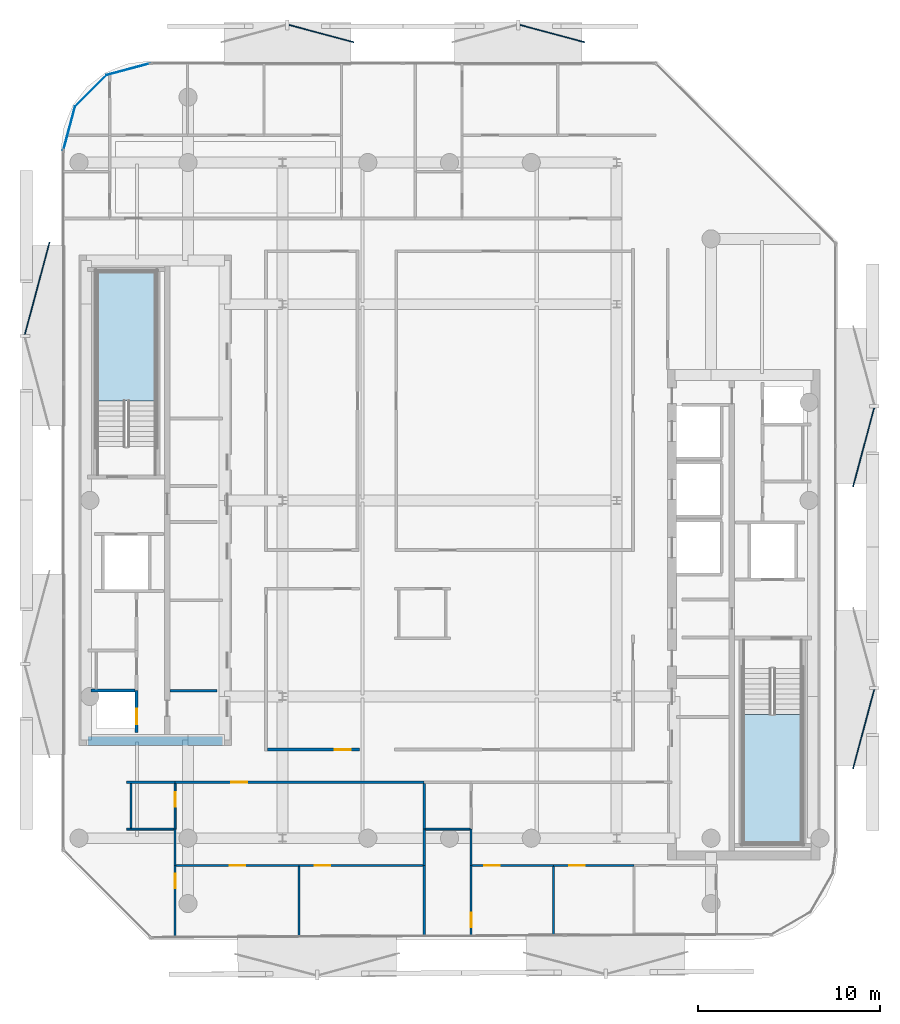
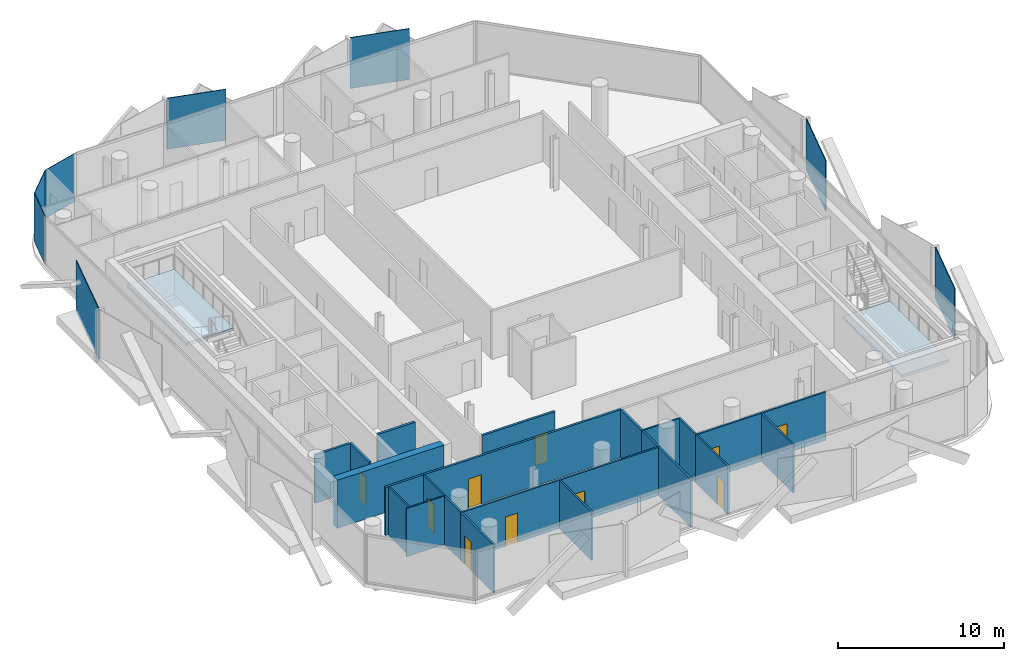
# One storey, part 4 of 16: 24 walls, 10 doors, 8 plates, 2 slabs, 10 openings, 2 elements without a shape of their own.
"""IFC4 building model written with IfcOpenShell, lengths in metres."""

from ifc_helpers import new_model, si_unit, direction, frame, frame_2d, origin, origin_2d, place, context, subcontext, project, spatial, polyline, rectangle, outline, extrude, material, layer, layer_set, type_object, element, fill, aggregate, save


model = new_model("IFC4")

# Units and contexts
model_context = context("Model", 3, precision=1e-05, world=origin(), true_north=direction((0.0, 1.0)))
body_context = subcontext(model_context, "Body", "Model", "MODEL_VIEW")
ifc_project = project(units=[si_unit("LENGTHUNIT", "METRE"), si_unit("AREAUNIT", "SQUARE_METRE"), si_unit("VOLUMEUNIT", "CUBIC_METRE"), si_unit("PLANEANGLEUNIT", "RADIAN"), si_unit("MASSUNIT", "GRAM", prefix="KILO")], contexts=[model_context])

# Site, building, storey
site_placement = place(None, origin())
site = spatial("IfcSite", under=ifc_project, at=site_placement, CompositionType="ELEMENT")
building_placement = place(site_placement, origin())
building = spatial("IfcBuilding", under=site, at=building_placement, Name="Khairoan Windgate Tower", CompositionType="ELEMENT")
storey_placement = place(building_placement, frame((0.0, 0.0, 277.60009765625)))
storey = spatial("IfcBuildingStorey", under=building, at=storey_placement, Name="L66", CompositionType="ELEMENT", Elevation=277.60009765625)

# Plates
ifc_material_1 = material(Name="Low-E Solar Control Laminated Glass", Category="glass")
ifc_layer_1 = layer(ifc_material_1, 0.030029296875, Name="Low-E Solar Control Laminated Glass")
ifc_layer_set_1 = layer_set([ifc_layer_1], Name="Low-E Solar Control Laminated Glass")
plate_type_1 = type_object("IfcPlateType", Name="Aerodynamic Wind-Corner Curved Glazing Plate", PredefinedType="USERDEFINED", material=ifc_layer_set_1)
plate_1_placement = place(storey_placement, frame((-20.940673828125, 20.485107421875, 0.0), z_axis=(0.0, 0.0, 1.0), x_axis=(0.258313252067, 0.966061211211, 0.0)))
element("IfcPlate", 1, at=plate_1_placement, inside=storey, type_object=plate_type_1, Name="L66 Aerodynamic Wind-Corner Curved Glazing Panel 4", ObjectType="GLAZING PANEL", PredefinedType="USERDEFINED", context=body_context, shape_type="SweptSolid", body=[
    extrude(rectangle(XDim=2.512451171875, YDim=0.035888671875, at=origin_2d()), origin(), (0.0, 0.0, 1.0), 3.5400390625),
])
plate_2_placement = place(storey_placement, frame((-19.750244140625, 22.55029296875, 0.0), z_axis=(0.0, 0.0, 1.0), x_axis=(0.707106781187, 0.707106781187, 0.0)))
element("IfcPlate", 2, at=plate_2_placement, inside=storey, type_object=plate_type_1, Name="L66 Aerodynamic Wind-Corner Curved Glazing Panel 5", ObjectType="GLAZING PANEL", PredefinedType="USERDEFINED", context=body_context, shape_type="SweptSolid", body=[
    extrude(rectangle(XDim=2.50341796875, YDim=0.035888671875, at=origin_2d()), origin(), (0.0, 0.0, 1.0), 3.5400390625),
])
plate_3_placement = place(storey_placement, frame((-17.68505859375, 23.740478515625, 0.0), z_axis=(0.0, 0.0, 1.0), x_axis=(0.966061211211, 0.258313252067, 0.0)))
element("IfcPlate", 3, at=plate_3_placement, inside=storey, type_object=plate_type_1, Name="L66 Aerodynamic Wind-Corner Curved Glazing Panel 6", ObjectType="GLAZING PANEL", PredefinedType="USERDEFINED", context=body_context, shape_type="SweptSolid", body=[
    extrude(rectangle(XDim=2.512451171875, YDim=0.035888671875, at=origin_2d()), origin(), (0.0, 0.0, 1.0), 3.5400390625),
])
ifc_material_2 = material(Name="Anodised Bronze Aluminium 6063-T6", Category="aluminium")
ifc_layer_2 = layer(ifc_material_2, 0.054931640625, Name="Anodised Bronze Aluminium 6063-T6")
ifc_layer_set_2 = layer_set([ifc_layer_2], Name="Anodised Bronze Aluminium 6063-T6")
plate_type_2 = type_object("IfcPlateType", Name="Perforated Bronze Solar Screen Upper Panel BSP-2", PredefinedType="USERDEFINED", material=ifc_layer_set_2)
plate_4_placement = place(storey_placement, frame((-22.701904296875, 11.677734375, -0.10009765625), z_axis=(0.0, 0.0, 1.0), x_axis=(0.258819045103, 0.965925826289, 0.0)))
element("IfcPlate", 4, at=plate_4_placement, inside=storey, type_object=plate_type_2, Name="L66 Perforated Bronze Solar Screen Panel 457R", ObjectType="SCREEN", PredefinedType="USERDEFINED", context=body_context, shape_type="SweptSolid", body=[
    extrude(rectangle(XDim=5.239013671875, YDim=0.054931640625, at=origin_2d()), origin(), (0.0, 0.0, 1.0), 3.739990234375),
])
for number, where, z_axis, x_axis, name in (
    (5, (-7.061279296875, 25.70263671875, -0.10009765625), (0.0, 0.0, 1.0), (0.965925826289, -0.258819045103, 0.0), "L66 Perforated Bronze Solar Screen Panel 458R"),
    (6, (5.655029296875, 25.70263671875, -0.10009765625), (0.0, 0.0, 1.0), (0.965925826289, -0.258819045103, 0.0), "L66 Perforated Bronze Solar Screen Panel 459R"),
):
    element("IfcPlate", number, at=place(storey_placement, frame(where, z_axis=z_axis, x_axis=x_axis)), inside=storey, type_object=plate_type_2, Name=name, ObjectType="SCREEN", PredefinedType="USERDEFINED", context=body_context, shape_type="SweptSolid", body=[
        extrude(rectangle(XDim=3.68798828125, YDim=0.054931640625, at=origin_2d()), origin(), (0.0, 0.0, 1.0), 3.739990234375),
    ])
for number, where, z_axis, x_axis, name in (
    (7, (22.797607421875, 2.92041015625, -0.10009765625), (0.0, 0.0, 1.0), (-0.258819045103, -0.965925826289, 0.0), "L66 Perforated Bronze Solar Screen Panel 460R"),
    (8, (22.797607421875, -12.595947265625, -0.10009765625), (0.0, 0.0, 1.0), (-0.258819045103, -0.965925826289, 0.0), "L66 Perforated Bronze Solar Screen Panel 461R"),
):
    element("IfcPlate", number, at=place(storey_placement, frame(where, z_axis=z_axis, x_axis=x_axis)), inside=storey, type_object=plate_type_2, Name=name, ObjectType="SCREEN", PredefinedType="USERDEFINED", context=body_context, shape_type="SweptSolid", body=[
        extrude(rectangle(XDim=4.5, YDim=0.054931640625, at=origin_2d()), origin(), (0.0, 0.0, 1.0), 3.739990234375),
    ])

# Stair, slab
ifc_material_3 = material(Name="Concrete C40/50", Category="concrete")
stair_type = type_object("IfcStairType", Name="Tower Core Dog-Leg Stair ST-T1 1560mm", PredefinedType="HALF_TURN_STAIR", material=ifc_material_3)
stair_1_placement = place(storey_placement, origin())
stair_1 = element("IfcStair", 9, at=stair_1_placement, inside=storey, type_object=stair_type, Name="L66 Stair ST1", PredefinedType="HALF_TURN_STAIR")
ifc_material_4 = material(Name="Concrete C40/50", Category="concrete")
ifc_layer_3 = layer(ifc_material_4, 0.199951171875, Name="Concrete C40/50")
ifc_layer_set_3 = layer_set([ifc_layer_3], Name="Concrete C40/50")
slab_type = type_object("IfcSlabType", Name="Reinforced Concrete Stair Landing Slab STL-200", PredefinedType="LANDING", material=ifc_layer_set_3)
slab_1_placement = place(storey_placement, frame((0.0, 0.0, 1.699951171875)))
slab_1 = element("IfcSlab", 10, at=slab_1_placement, type_object=slab_type, Name="ST1 landing 1", PredefinedType="LANDING", context=body_context, shape_type="SweptSolid", body=[
    extrude(outline(polyline([(16.14990234375, -11.780029296875), (16.14990234375, -18.89990234375), (19.419921875, -18.89990234375), (19.419921875, -11.780029296875), (16.14990234375, -11.780029296875)])), origin(), (0.0, 0.0, 1.0), 0.199951171875),
])
aggregate(stair_1, [slab_1])

stair_2_placement = place(storey_placement, origin())
stair_2 = element("IfcStair", 11, at=stair_2_placement, inside=storey, type_object=stair_type, Name="L66 Stair ST2", PredefinedType="HALF_TURN_STAIR")
slab_2_placement = place(storey_placement, frame((0.0, 0.0, 1.699951171875)))
slab_2 = element("IfcSlab", 12, at=slab_2_placement, type_object=slab_type, Name="ST2 landing 1", PredefinedType="LANDING", context=body_context, shape_type="SweptSolid", body=[
    extrude(outline(polyline([(-16.14990234375, 5.47998046875), (-16.14990234375, 12.60009765625), (-19.419921875, 12.60009765625), (-19.419921875, 5.47998046875), (-16.14990234375, 5.47998046875)])), origin(), (0.0, 0.0, 1.0), 0.199951171875),
])
aggregate(stair_2, [slab_2])

# Wall
ifc_material_5 = material(Name="Moisture-Resistant Gypsum Partition", Category="gypsum")
ifc_layer_4 = layer(ifc_material_5, 0.10009765625, Name="Moisture-Resistant Gypsum Partition")
ifc_layer_set_4 = layer_set([ifc_layer_4], Name="Moisture-Resistant Gypsum Partition")
wall_type_1 = type_object("IfcWallType", Name="Bathroom Wet-Area Partition Wall", PredefinedType="PARTITIONING", material=ifc_layer_set_4)
wall_1_placement = place(storey_placement, frame((-17.780029296875, -18.10009765625, 0.0), z_axis=(0.0, 0.0, 1.0), x_axis=(1.0, 0.0, 0.0)))
element("IfcWall", 13, at=wall_1_placement, inside=storey, type_object=wall_type_1, Name="L66 Interior Partition 059", PredefinedType="PARTITIONING", context=body_context, shape_type="SweptSolid", body=[
    extrude(rectangle(XDim=2.6201171875, YDim=0.10009765625, at=frame_2d((1.31005859375, 0.0))), origin(), (0.0, 0.0, 1.0), 3.539794921875),
])

# Wall, opening, door
wall_2_placement = place(storey_placement, frame((-15.110107421875, -18.10009765625, 0.0), z_axis=(0.0, 0.0, 1.0), x_axis=(0.0, 1.0, 0.0)))
wall_2 = element("IfcWall", 14, at=wall_2_placement, inside=storey, type_object=wall_type_1, Name="L66 Interior Partition 060", PredefinedType="PARTITIONING", context=body_context, shape_type="SweptSolid", body=[
    extrude(rectangle(XDim=2.5, YDim=0.10009765625, at=frame_2d((1.25, 0.0))), origin(), (0.0, 0.0, 1.0), 3.539794921875),
])
opening_1_placement = place(wall_2_placement, frame((1.239990234375, 0.0, 0.0)))
opening_1 = element("IfcOpeningElement", 15, at=opening_1_placement, cuts=wall_2, Name="Opening ID-BTH", PredefinedType="OPENING", context=body_context, shape_type="SweptSolid", body=[
    extrude(rectangle(XDim=0.800048828125, YDim=2.10009765625, at=frame_2d((0.39990234375, 1.050048828125))), frame((0.0, 0.06005859375, 0.0), z_axis=(0.0, -1.0, 0.0), x_axis=(1.0, 0.0, 0.0)), (0.0, 0.0, 1.0), 0.1201171875),
])
ifc_material_6 = material(Name="Teak Veneer Timber Leaf", Category="wood")
door_type_1 = type_object("IfcDoorType", Name="Internal Bathroom Door ID-BTH 800x2100", OperationType="NOTDEFINED", PredefinedType="DOOR", material=ifc_material_6)
door_1_placement = place(opening_1_placement, origin())
door_1 = element("IfcDoor", 16, at=door_1_placement, inside=storey, type_object=door_type_1, Name="L66 L66-47-L66-49 Door", OperationType="SINGLE_SWING_LEFT", OverallHeight=2.10009765625, OverallWidth=0.800048828125, PredefinedType="DOOR", context=body_context, shape_type="SweptSolid", body=[
    extrude(rectangle(XDim=0.800048828125, YDim=2.10009765625, at=frame_2d((0.39990234375, 1.050048828125))), frame((0.0, 0.02490234375, 0.0), z_axis=(0.0, -1.0, 0.0), x_axis=(1.0, 0.0, 0.0)), (0.0, 0.0, 1.0), 0.050048828125),
])
fill(opening_1, door_1)

# Walls
wall_3_placement = place(storey_placement, frame((-1.330078125, -18.10009765625, 0.0), z_axis=(0.0, 0.0, 1.0), x_axis=(1.0, 0.0, 0.0)))
element("IfcWall", 17, at=wall_3_placement, inside=storey, type_object=wall_type_1, Name="L66 Interior Partition 069", PredefinedType="PARTITIONING", context=body_context, shape_type="SweptSolid", body=[
    extrude(rectangle(XDim=2.469970703125, YDim=0.10009765625, at=frame_2d((1.23486328125, 0.0))), origin(), (0.0, 0.0, 1.0), 3.539794921875),
])
wall_4_placement = place(storey_placement, frame((-17.5400390625, -18.050048828125, 0.0), z_axis=(0.0, 0.0, 1.0), x_axis=(0.0, 1.0, 0.0)))
element("IfcWall", 18, at=wall_4_placement, inside=storey, type_object=wall_type_1, Name="L66 Wet Room Side Wall 082", PredefinedType="PARTITIONING", context=body_context, shape_type="SweptSolid", body=[
    extrude(rectangle(XDim=2.449951171875, YDim=0.10009765625, at=frame_2d((1.22509765625, 0.0))), origin(), (0.0, 0.0, 1.0), 3.539794921875),
])
ifc_material_7 = material(Name="Concrete C40/50", Category="concrete")
ifc_layer_5 = layer(ifc_material_7, 0.159912109375, Name="Concrete C40/50")
ifc_layer_set_5 = layer_set([ifc_layer_5], Name="Concrete C40/50")
wall_type_2 = type_object("IfcWallType", Name="Core and Hoistway Enclosure Wall", PredefinedType="STANDARD", material=ifc_layer_set_5)
wall_5_placement = place(storey_placement, frame((-15.39990234375, -10.47998046875, 0.0), z_axis=(0.0, 0.0, 1.0), x_axis=(1.0, 0.0, 0.0)))
element("IfcWall", 19, at=wall_5_placement, inside=storey, type_object=wall_type_2, Name="L66 Core Shaft Wall SW-WSV-L66", PredefinedType="STANDARD", context=body_context, shape_type="SweptSolid", body=[
    extrude(rectangle(XDim=2.599853515625, YDim=0.159912109375, at=frame_2d((1.2998046875, 0.0))), origin(), (0.0, 0.0, 1.0), 3.539794921875),
])
ifc_material_8 = material(Name="Acoustic Fire-Rated Gypsum Partition", Category="gypsum")
ifc_layer_6 = layer(ifc_material_8, 0.139892578125, Name="Acoustic Fire-Rated Gypsum Partition")
ifc_layer_set_6 = layer_set([ifc_layer_6], Name="Acoustic Fire-Rated Gypsum Partition")
wall_type_3 = type_object("IfcWallType", Name="Inter-Tenancy Compartment Wall", PredefinedType="PARTITIONING", material=ifc_layer_set_6)
wall_6_placement = place(storey_placement, frame((-1.39990234375, -18.10009765625, 0.0), z_axis=(0.0, 0.0, 1.0), x_axis=(0.0, 1.0, 0.0)))
element("IfcWall", 20, at=wall_6_placement, inside=storey, type_object=wall_type_3, Name="L66 Interior Partition 065", PredefinedType="PARTITIONING", context=body_context, shape_type="SweptSolid", body=[
    extrude(rectangle(XDim=2.5, YDim=0.139892578125, at=frame_2d((1.25, 0.0))), origin(), (0.0, 0.0, 1.0), 3.539794921875),
])
wall_7_placement = place(storey_placement, frame((-1.39990234375, -20.10009765625, 0.0), z_axis=(0.0, 0.0, 1.0), x_axis=(0.0, 1.0, 0.0)))
element("IfcWall", 21, at=wall_7_placement, inside=storey, type_object=wall_type_3, Name="L66 Interior Partition 066", PredefinedType="PARTITIONING", context=body_context, shape_type="SweptSolid", body=[
    extrude(rectangle(XDim=2.0, YDim=0.139892578125, at=frame_2d((1.0, 0.0))), origin(), (0.0, 0.0, 1.0), 3.539794921875),
])
wall_8_placement = place(storey_placement, frame((-1.39990234375, -23.983154296875, 0.0), z_axis=(0.0, 0.0, 1.0), x_axis=(0.0, 1.0, 0.0)))
element("IfcWall", 22, at=wall_8_placement, inside=storey, type_object=wall_type_3, Name="L66 Interior Partition 068", PredefinedType="PARTITIONING", context=body_context, shape_type="SweptSolid", body=[
    extrude(rectangle(XDim=3.883056640625, YDim=0.139892578125, at=frame_2d((1.94140625, 0.0))), origin(), (0.0, 0.0, 1.0), 3.539794921875),
])
ifc_material_9 = material(Name="Gypsum Stud Partition", Category="gypsum")
ifc_layer_7 = layer(ifc_material_9, 0.1201171875, Name="Gypsum Stud Partition")
ifc_layer_set_7 = layer_set([ifc_layer_7], Name="Gypsum Stud Partition")
wall_type_4 = type_object("IfcWallType", Name="Internal Room Partition Wall", PredefinedType="PARTITIONING", material=ifc_layer_set_7)
wall_9_placement = place(storey_placement, frame((-15.110107421875, -20.10009765625, 0.0), z_axis=(0.0, 0.0, 1.0), x_axis=(0.0, 1.0, 0.0)))
element("IfcWall", 23, at=wall_9_placement, inside=storey, type_object=wall_type_4, Name="L66 Interior Partition 061", PredefinedType="PARTITIONING", context=body_context, shape_type="SweptSolid", body=[
    extrude(rectangle(XDim=2.0, YDim=0.1201171875, at=frame_2d((1.0, 0.0))), origin(), (0.0, 0.0, 1.0), 3.539794921875),
])

# Wall, opening, door
wall_10_placement = place(storey_placement, frame((-15.110107421875, -24.048583984375, 0.0), z_axis=(0.0, 0.0, 1.0), x_axis=(0.0, 1.0, 0.0)))
wall_10 = element("IfcWall", 24, at=wall_10_placement, inside=storey, type_object=wall_type_4, Name="L66 Interior Partition 062", PredefinedType="PARTITIONING", context=body_context, shape_type="SweptSolid", body=[
    extrude(rectangle(XDim=3.948486328125, YDim=0.1201171875, at=frame_2d((1.97412109375, 0.0))), origin(), (0.0, 0.0, 1.0), 3.539794921875),
])
opening_2_placement = place(wall_10_placement, frame((2.688720703125, 0.0, 0.0)))
opening_2 = element("IfcOpeningElement", 25, at=opening_2_placement, cuts=wall_10, Name="Opening ID-BTH", PredefinedType="OPENING", context=body_context, shape_type="SweptSolid", body=[
    extrude(rectangle(XDim=0.800048828125, YDim=2.10009765625, at=frame_2d((0.39990234375, 1.050048828125))), frame((0.0, 0.070068359375, 0.0), z_axis=(0.0, -1.0, 0.0), x_axis=(1.0, 0.0, 0.0)), (0.0, 0.0, 1.0), 0.14013671875),
])
door_2_placement = place(opening_2_placement, origin())
door_2 = element("IfcDoor", 26, at=door_2_placement, inside=storey, type_object=door_type_1, Name="L66 L66-48-L66-50 Door", OperationType="SINGLE_SWING_LEFT", OverallHeight=2.10009765625, OverallWidth=0.800048828125, PredefinedType="DOOR", context=body_context, shape_type="SweptSolid", body=[
    extrude(rectangle(XDim=0.800048828125, YDim=2.10009765625, at=frame_2d((0.39990234375, 1.050048828125))), frame((0.0, 0.02490234375, 0.0), z_axis=(0.0, -1.0, 0.0), x_axis=(1.0, 0.0, 0.0)), (0.0, 0.0, 1.0), 0.050048828125),
])
fill(opening_2, door_2)

wall_11_placement = place(storey_placement, frame((-15.050048828125, -20.10009765625, 0.0), z_axis=(0.0, 0.0, 1.0), x_axis=(1.0, 0.0, 0.0)))
wall_11 = element("IfcWall", 27, at=wall_11_placement, inside=storey, type_object=wall_type_4, Name="L66 Interior Partition 063", PredefinedType="PARTITIONING", context=body_context, shape_type="SweptSolid", body=[
    extrude(rectangle(XDim=6.755126953125, YDim=0.1201171875, at=frame_2d((3.37744140625, 0.0))), origin(), (0.0, 0.0, 1.0), 3.539794921875),
])
opening_3_placement = place(wall_11_placement, frame((2.947509765625, 0.0, 0.0)))
opening_3 = element("IfcOpeningElement", 28, at=opening_3_placement, cuts=wall_11, Name="Opening ID-RM", PredefinedType="OPENING", context=body_context, shape_type="SweptSolid", body=[
    extrude(rectangle(XDim=0.860107421875, YDim=2.14990234375, at=frame_2d((0.43017578125, 1.074951171875))), frame((0.0, 0.070068359375, 0.0), z_axis=(0.0, -1.0, 0.0), x_axis=(1.0, 0.0, 0.0)), (0.0, 0.0, 1.0), 0.14013671875),
])
ifc_material_10 = material(Name="Teak Veneer Timber Leaf", Category="wood")
door_type_2 = type_object("IfcDoorType", Name="Internal Bedroom and Office Door ID-RM 860x2150", OperationType="NOTDEFINED", PredefinedType="DOOR", material=ifc_material_10)
door_3_placement = place(opening_3_placement, origin())
door_3 = element("IfcDoor", 29, at=door_3_placement, inside=storey, type_object=door_type_2, Name="L66 L66-49-L66-50 Door", OperationType="SINGLE_SWING_LEFT", OverallHeight=2.14990234375, OverallWidth=0.860107421875, PredefinedType="DOOR", context=body_context, shape_type="SweptSolid", body=[
    extrude(rectangle(XDim=0.860107421875, YDim=2.14990234375, at=frame_2d((0.43017578125, 1.074951171875))), frame((0.0, 0.02490234375, 0.0), z_axis=(0.0, -1.0, 0.0), x_axis=(1.0, 0.0, 0.0)), (0.0, 0.0, 1.0), 0.050048828125),
])
fill(opening_3, door_3)

wall_12_placement = place(storey_placement, frame((-8.294921875, -20.10009765625, 0.0), z_axis=(0.0, 0.0, 1.0), x_axis=(1.0, 0.0, 0.0)))
wall_12 = element("IfcWall", 30, at=wall_12_placement, inside=storey, type_object=wall_type_4, Name="L66 Interior Partition 064", PredefinedType="PARTITIONING", context=body_context, shape_type="SweptSolid", body=[
    extrude(rectangle(XDim=6.824951171875, YDim=0.1201171875, at=frame_2d((3.41259765625, 0.0))), origin(), (0.0, 0.0, 1.0), 3.539794921875),
])
opening_4_placement = place(wall_12_placement, frame((0.863525390625, 0.0, 0.0)))
opening_4 = element("IfcOpeningElement", 31, at=opening_4_placement, cuts=wall_12, Name="Opening ID-RM", PredefinedType="OPENING", context=body_context, shape_type="SweptSolid", body=[
    extrude(rectangle(XDim=0.860107421875, YDim=2.14990234375, at=frame_2d((0.43017578125, 1.074951171875))), frame((0.0, 0.070068359375, 0.0), z_axis=(0.0, -1.0, 0.0), x_axis=(1.0, 0.0, 0.0)), (0.0, 0.0, 1.0), 0.14013671875),
])
door_4_placement = place(opening_4_placement, origin())
door_4 = element("IfcDoor", 32, at=door_4_placement, inside=storey, type_object=door_type_2, Name="L66 L66-49-L66-51 Door", OperationType="SINGLE_SWING_RIGHT", OverallHeight=2.14990234375, OverallWidth=0.860107421875, PredefinedType="DOOR", context=body_context, shape_type="SweptSolid", body=[
    extrude(rectangle(XDim=0.860107421875, YDim=2.14990234375, at=frame_2d((0.43017578125, 1.074951171875))), frame((0.0, 0.02490234375, 0.0), z_axis=(0.0, -1.0, 0.0), x_axis=(1.0, 0.0, 0.0)), (0.0, 0.0, 1.0), 0.050048828125),
])
fill(opening_4, door_4)

# Walls
wall_13_placement = place(storey_placement, frame((-8.294921875, -24.01611328125, 0.0), z_axis=(0.0, 0.0, 1.0), x_axis=(0.0, 1.0, 0.0)))
element("IfcWall", 33, at=wall_13_placement, inside=storey, type_object=wall_type_4, Name="L66 Interior Partition 067", PredefinedType="PARTITIONING", context=body_context, shape_type="SweptSolid", body=[
    extrude(rectangle(XDim=3.856201171875, YDim=0.1201171875, at=frame_2d((1.92822265625, 0.0))), origin(), (0.0, 0.0, 1.0), 3.539794921875),
])
wall_14_placement = place(storey_placement, frame((1.18994140625, -20.10009765625, 0.0), z_axis=(0.0, 0.0, 1.0), x_axis=(0.0, 1.0, 0.0)))
element("IfcWall", 34, at=wall_14_placement, inside=storey, type_object=wall_type_4, Name="L66 Interior Partition 071", PredefinedType="PARTITIONING", context=body_context, shape_type="SweptSolid", body=[
    extrude(rectangle(XDim=2.0, YDim=0.1201171875, at=frame_2d((1.0, 0.0))), origin(), (0.0, 0.0, 1.0), 3.539794921875),
])

# Wall, opening, door
wall_15_placement = place(storey_placement, frame((1.18994140625, -23.970703125, 0.0), z_axis=(0.0, 0.0, 1.0), x_axis=(0.0, 1.0, 0.0)))
wall_15 = element("IfcWall", 35, at=wall_15_placement, inside=storey, type_object=wall_type_4, Name="L66 Interior Partition 072", PredefinedType="PARTITIONING", context=body_context, shape_type="SweptSolid", body=[
    extrude(rectangle(XDim=3.87060546875, YDim=0.1201171875, at=frame_2d((1.935302734375, 0.0))), origin(), (0.0, 0.0, 1.0), 3.539794921875),
])
opening_5_placement = place(wall_15_placement, frame((0.4599609375, 0.0, 0.0)))
opening_5 = element("IfcOpeningElement", 36, at=opening_5_placement, cuts=wall_15, Name="Opening ID-BTH", PredefinedType="OPENING", context=body_context, shape_type="SweptSolid", body=[
    extrude(rectangle(XDim=0.800048828125, YDim=2.10009765625, at=frame_2d((0.39990234375, 1.050048828125))), frame((0.0, 0.070068359375, 0.0), z_axis=(0.0, -1.0, 0.0), x_axis=(1.0, 0.0, 0.0)), (0.0, 0.0, 1.0), 0.14013671875),
])
door_5_placement = place(opening_5_placement, origin())
door_5 = element("IfcDoor", 37, at=door_5_placement, inside=storey, type_object=door_type_1, Name="L66 L66-53-L66-56 Door", OperationType="SINGLE_SWING_RIGHT", OverallHeight=2.10009765625, OverallWidth=0.800048828125, PredefinedType="DOOR", context=body_context, shape_type="SweptSolid", body=[
    extrude(rectangle(XDim=0.800048828125, YDim=2.10009765625, at=frame_2d((0.39990234375, 1.050048828125))), frame((0.0, 0.02490234375, 0.0), z_axis=(0.0, -1.0, 0.0), x_axis=(1.0, 0.0, 0.0)), (0.0, 0.0, 1.0), 0.050048828125),
])
fill(opening_5, door_5)

wall_16_placement = place(storey_placement, frame((1.25, -20.10009765625, 0.0), z_axis=(0.0, 0.0, 1.0), x_axis=(1.0, 0.0, 0.0)))
wall_16 = element("IfcWall", 38, at=wall_16_placement, inside=storey, type_object=wall_type_4, Name="L66 Interior Partition 073", PredefinedType="PARTITIONING", context=body_context, shape_type="SweptSolid", body=[
    extrude(rectangle(XDim=4.467041015625, YDim=0.1201171875, at=frame_2d((2.2333984375, 0.0))), origin(), (0.0, 0.0, 1.0), 3.539794921875),
])
opening_6_placement = place(wall_16_placement, frame((0.666748046875, 0.0, 0.0)))
opening_6 = element("IfcOpeningElement", 39, at=opening_6_placement, cuts=wall_16, Name="Opening ID-RM", PredefinedType="OPENING", context=body_context, shape_type="SweptSolid", body=[
    extrude(rectangle(XDim=0.860107421875, YDim=2.14990234375, at=frame_2d((0.43017578125, 1.074951171875))), frame((0.0, 0.070068359375, 0.0), z_axis=(0.0, -1.0, 0.0), x_axis=(1.0, 0.0, 0.0)), (0.0, 0.0, 1.0), 0.14013671875),
])
door_6_placement = place(opening_6_placement, origin())
door_6 = element("IfcDoor", 40, at=door_6_placement, inside=storey, type_object=door_type_2, Name="L66 L66-54-L66-56 Door", OperationType="SINGLE_SWING_LEFT", OverallHeight=2.14990234375, OverallWidth=0.860107421875, PredefinedType="DOOR", context=body_context, shape_type="SweptSolid", body=[
    extrude(rectangle(XDim=0.860107421875, YDim=2.14990234375, at=frame_2d((0.43017578125, 1.074951171875))), frame((0.0, 0.02490234375, 0.0), z_axis=(0.0, -1.0, 0.0), x_axis=(1.0, 0.0, 0.0)), (0.0, 0.0, 1.0), 0.050048828125),
])
fill(opening_6, door_6)

wall_17_placement = place(storey_placement, frame((5.717041015625, -20.10009765625, 0.0), z_axis=(0.0, 0.0, 1.0), x_axis=(1.0, 0.0, 0.0)))
wall_17 = element("IfcWall", 41, at=wall_17_placement, inside=storey, type_object=wall_type_4, Name="L66 Interior Partition 074", PredefinedType="PARTITIONING", context=body_context, shape_type="SweptSolid", body=[
    extrude(rectangle(XDim=4.446044921875, YDim=0.1201171875, at=frame_2d((2.22314453125, 0.0))), origin(), (0.0, 0.0, 1.0), 3.539794921875),
])
opening_7_placement = place(wall_17_placement, frame((0.8701171875, 0.0, 0.0)))
opening_7 = element("IfcOpeningElement", 42, at=opening_7_placement, cuts=wall_17, Name="Opening ID-RM", PredefinedType="OPENING", context=body_context, shape_type="SweptSolid", body=[
    extrude(rectangle(XDim=0.860107421875, YDim=2.14990234375, at=frame_2d((0.43017578125, 1.074951171875))), frame((0.0, 0.070068359375, 0.0), z_axis=(0.0, -1.0, 0.0), x_axis=(1.0, 0.0, 0.0)), (0.0, 0.0, 1.0), 0.14013671875),
])
door_7_placement = place(opening_7_placement, origin())
door_7 = element("IfcDoor", 43, at=door_7_placement, inside=storey, type_object=door_type_2, Name="L66 L66-54-L66-57 Door", OperationType="SINGLE_SWING_RIGHT", OverallHeight=2.14990234375, OverallWidth=0.860107421875, PredefinedType="DOOR", context=body_context, shape_type="SweptSolid", body=[
    extrude(rectangle(XDim=0.860107421875, YDim=2.14990234375, at=frame_2d((0.43017578125, 1.074951171875))), frame((0.0, 0.02490234375, 0.0), z_axis=(0.0, -1.0, 0.0), x_axis=(1.0, 0.0, 0.0)), (0.0, 0.0, 1.0), 0.050048828125),
])
fill(opening_7, door_7)

# Wall
wall_18_placement = place(storey_placement, frame((5.717041015625, -23.94921875, 0.0), z_axis=(0.0, 0.0, 1.0), x_axis=(0.0, 1.0, 0.0)))
element("IfcWall", 44, at=wall_18_placement, inside=storey, type_object=wall_type_4, Name="L66 Interior Partition 077", PredefinedType="PARTITIONING", context=body_context, shape_type="SweptSolid", body=[
    extrude(rectangle(XDim=3.789306640625, YDim=0.1201171875, at=frame_2d((1.89453125, 0.0))), origin(), (0.0, 0.0, 1.0), 3.539794921875),
])

# Wall, opening, door
ifc_material_11 = material(Name="Concrete C40/50", Category="concrete")
ifc_layer_8 = layer(ifc_material_11, 0.159912109375, Name="Concrete C40/50")
ifc_layer_set_8 = layer_set([ifc_layer_8], Name="Concrete C40/50")
wall_type_5 = type_object("IfcWallType", Name="Plant and Refuge Compartment Wall", PredefinedType="PARTITIONING", material=ifc_layer_set_8)
wall_19_placement = place(storey_placement, frame((-17.22998046875, -12.7900390625, 0.0), z_axis=(0.0, 0.0, 1.0), x_axis=(0.0, 1.0, 0.0)))
wall_19 = element("IfcWall", 45, at=wall_19_placement, inside=storey, type_object=wall_type_5, Name="L66 Interior Partition 001", PredefinedType="PARTITIONING", context=body_context, shape_type="SweptSolid", body=[
    extrude(rectangle(XDim=2.320068359375, YDim=0.159912109375, at=frame_2d((1.16015625, 0.0))), origin(), (0.0, 0.0, 1.0), 3.539794921875),
])
opening_8_placement = place(wall_19_placement, frame((0.4599609375, 0.0, 0.0)))
opening_8 = element("IfcOpeningElement", 46, at=opening_8_placement, cuts=wall_19, Name="Opening FD-SRV", PredefinedType="OPENING", context=body_context, shape_type="SweptSolid", body=[
    extrude(rectangle(XDim=0.85009765625, YDim=2.10009765625, at=frame_2d((0.425048828125, 1.050048828125))), frame((0.0, 0.08984375, 0.0), z_axis=(0.0, -1.0, 0.0), x_axis=(1.0, 0.0, 0.0)), (0.0, 0.0, 1.0), 0.179931640625),
])
ifc_material_12 = material(Name="Steel S355", Category="steel")
door_type_3 = type_object("IfcDoorType", Name="Core Service and Riser Fire Door FD-SRV 850x2100", OperationType="NOTDEFINED", PredefinedType="DOOR", material=ifc_material_12)
door_8_placement = place(opening_8_placement, origin())
door_8 = element("IfcDoor", 47, at=door_8_placement, inside=storey, type_object=door_type_3, Name="L66 L66-04-L66-05 Door", OperationType="SINGLE_SWING_RIGHT", OverallHeight=2.10009765625, OverallWidth=0.85009765625, PredefinedType="DOOR", context=body_context, shape_type="SweptSolid", body=[
    extrude(rectangle(XDim=0.85009765625, YDim=2.10009765625, at=frame_2d((0.425048828125, 1.050048828125))), frame((0.0, 0.02490234375, 0.0), z_axis=(0.0, -1.0, 0.0), x_axis=(1.0, 0.0, 0.0)), (0.0, 0.0, 1.0), 0.050048828125),
])
fill(opening_8, door_8)

# Walls
wall_20_placement = place(storey_placement, frame((-19.75, -10.469970703125, 0.0), z_axis=(0.0, 0.0, 1.0), x_axis=(1.0, 0.0, 0.0)))
element("IfcWall", 48, at=wall_20_placement, inside=storey, type_object=wall_type_5, Name="L66 Interior Partition 004", PredefinedType="PARTITIONING", context=body_context, shape_type="SweptSolid", body=[
    extrude(rectangle(XDim=2.43994140625, YDim=0.159912109375, at=frame_2d((1.219970703125, 0.0))), origin(), (0.0, 0.0, 1.0), 3.539794921875),
])
ifc_material_13 = material(Name="Acoustic Fire-Rated Gypsum Partition", Category="gypsum")
ifc_layer_9 = layer(ifc_material_13, 0.14990234375, Name="Acoustic Fire-Rated Gypsum Partition")
ifc_layer_set_9 = layer_set([ifc_layer_9], Name="Acoustic Fire-Rated Gypsum Partition")
wall_type_6 = type_object("IfcWallType", Name="Rated Corridor Partition Wall", PredefinedType="PARTITIONING", material=ifc_layer_set_9)
wall_21_placement = place(storey_placement, frame((-17.780029296875, -15.52490234375, 0.0), z_axis=(0.0, 0.0, 1.0), x_axis=(1.0, 0.0, 0.0)))
element("IfcWall", 49, at=wall_21_placement, inside=storey, type_object=wall_type_6, Name="L66 Interior Partition 033", PredefinedType="PARTITIONING", context=body_context, shape_type="SweptSolid", body=[
    extrude(rectangle(XDim=2.669921875, YDim=0.14990234375, at=frame_2d((1.3349609375, 0.0))), origin(), (0.0, 0.0, 1.0), 3.539794921875),
])

# Wall, opening, door
wall_22_placement = place(storey_placement, frame((-15.110107421875, -15.52490234375, 0.0), z_axis=(0.0, 0.0, 1.0), x_axis=(1.0, 0.0, 0.0)))
wall_22 = element("IfcWall", 50, at=wall_22_placement, inside=storey, type_object=wall_type_6, Name="L66 Interior Partition 034", PredefinedType="PARTITIONING", context=body_context, shape_type="SweptSolid", body=[
    extrude(rectangle(XDim=13.710205078125, YDim=0.14990234375, at=frame_2d((6.85498046875, 0.0))), origin(), (0.0, 0.0, 1.0), 3.539794921875),
])
opening_9_placement = place(wall_22_placement, frame((3.079833984375, 0.0, 0.0)))
opening_9 = element("IfcOpeningElement", 51, at=opening_9_placement, cuts=wall_22, Name="Opening FD-ENT", PredefinedType="OPENING", context=body_context, shape_type="SweptSolid", body=[
    extrude(rectangle(XDim=0.89990234375, YDim=2.14990234375, at=frame_2d((0.449951171875, 1.074951171875))), frame((0.0, 0.0849609375, 0.0), z_axis=(0.0, -1.0, 0.0), x_axis=(1.0, 0.0, 0.0)), (0.0, 0.0, 1.0), 0.169921875),
])
ifc_material_14 = material(Name="Timber Fire-Rated Core", Category="wood")
door_type_4 = type_object("IfcDoorType", Name="Unit and Office Fire Entrance Door FD-ENT 900x2150", OperationType="NOTDEFINED", PredefinedType="DOOR", material=ifc_material_14)
door_9_placement = place(opening_9_placement, origin())
door_9 = element("IfcDoor", 52, at=door_9_placement, inside=storey, type_object=door_type_4, Name="L66 L66-34-L66-49 Door", OperationType="SINGLE_SWING_LEFT", OverallHeight=2.14990234375, OverallWidth=0.89990234375, PredefinedType="DOOR", context=body_context, shape_type="SweptSolid", body=[
    extrude(rectangle(XDim=0.89990234375, YDim=2.14990234375, at=frame_2d((0.449951171875, 1.074951171875))), frame((0.0, 0.02490234375, 0.0), z_axis=(0.0, -1.0, 0.0), x_axis=(1.0, 0.0, 0.0)), (0.0, 0.0, 1.0), 0.050048828125),
])
fill(opening_9, door_9)

wall_23_placement = place(storey_placement, frame((-10.02490234375, -13.719970703125, 0.0), z_axis=(0.0, 0.0, 1.0), x_axis=(1.0, 0.0, 0.0)))
wall_23 = element("IfcWall", 53, at=wall_23_placement, inside=storey, type_object=wall_type_6, Name="L66 Interior Partition 037", PredefinedType="PARTITIONING", context=body_context, shape_type="SweptSolid", body=[
    extrude(rectangle(XDim=5.054931640625, YDim=0.14990234375, at=frame_2d((2.52734375, 0.0))), origin(), (0.0, 0.0, 1.0), 3.539794921875),
])
opening_10_placement = place(wall_23_placement, frame((3.695068359375, 0.0, 0.0)))
opening_10 = element("IfcOpeningElement", 54, at=opening_10_placement, cuts=wall_23, Name="Opening FD-ENT", PredefinedType="OPENING", context=body_context, shape_type="SweptSolid", body=[
    extrude(rectangle(XDim=0.89990234375, YDim=2.14990234375, at=frame_2d((0.449951171875, 1.074951171875))), frame((0.0, 0.0849609375, 0.0), z_axis=(0.0, -1.0, 0.0), x_axis=(1.0, 0.0, 0.0)), (0.0, 0.0, 1.0), 0.169921875),
])
door_10_placement = place(opening_10_placement, origin())
door_10 = element("IfcDoor", 55, at=door_10_placement, inside=storey, type_object=door_type_4, Name="L66 L66-34-L66-61 Door", OperationType="SINGLE_SWING_LEFT", OverallHeight=2.14990234375, OverallWidth=0.89990234375, PredefinedType="DOOR", context=body_context, shape_type="SweptSolid", body=[
    extrude(rectangle(XDim=0.89990234375, YDim=2.14990234375, at=frame_2d((0.449951171875, 1.074951171875))), frame((0.0, 0.02490234375, 0.0), z_axis=(0.0, -1.0, 0.0), x_axis=(1.0, 0.0, 0.0)), (0.0, 0.0, 1.0), 0.050048828125),
])
fill(opening_10, door_10)

# Wall
ifc_material_15 = material(Name="Concrete C50/60", Category="concrete")
ifc_layer_10 = layer(ifc_material_15, 0.5, Name="Concrete C50/60")
ifc_layer_set_10 = layer_set([ifc_layer_10], Name="Concrete C50/60")
wall_type_7 = type_object("IfcWallType", Name="Shear Wall CW-W3 500mm", PredefinedType="SHEAR", material=ifc_layer_set_10)
wall_24_placement = place(storey_placement, frame((-19.89990234375, -13.25, 0.0), z_axis=(0.0, 0.0, 1.0), x_axis=(1.0, 0.0, 0.0)))
element("IfcWall", 56, at=wall_24_placement, inside=storey, type_object=wall_type_7, Name="W Core South Shear Wall L66", PredefinedType="SHEAR", context=body_context, shape_type="SweptSolid", body=[
    extrude(rectangle(XDim=7.39990234375, YDim=0.5, at=frame_2d((3.699951171875, 0.0))), origin(), (0.0, 0.0, 1.0), 3.539794921875),
])

save(model, "model.ifc")
